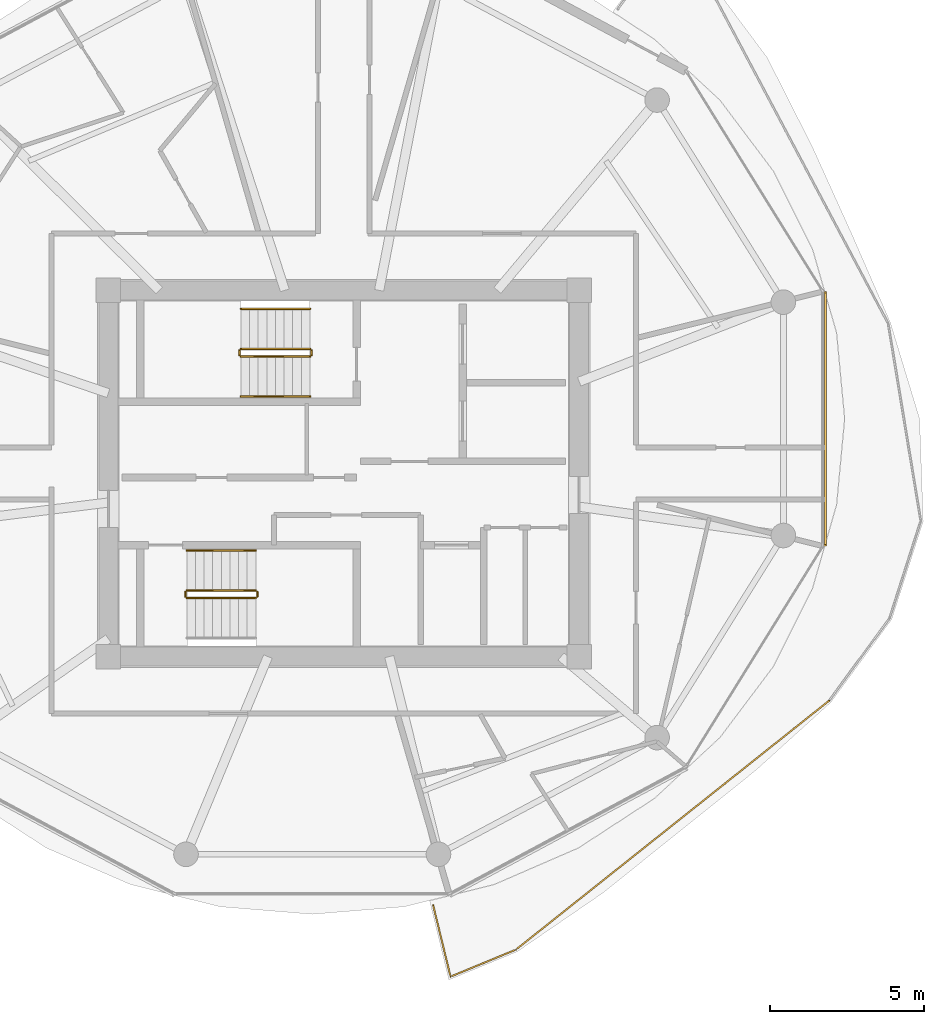
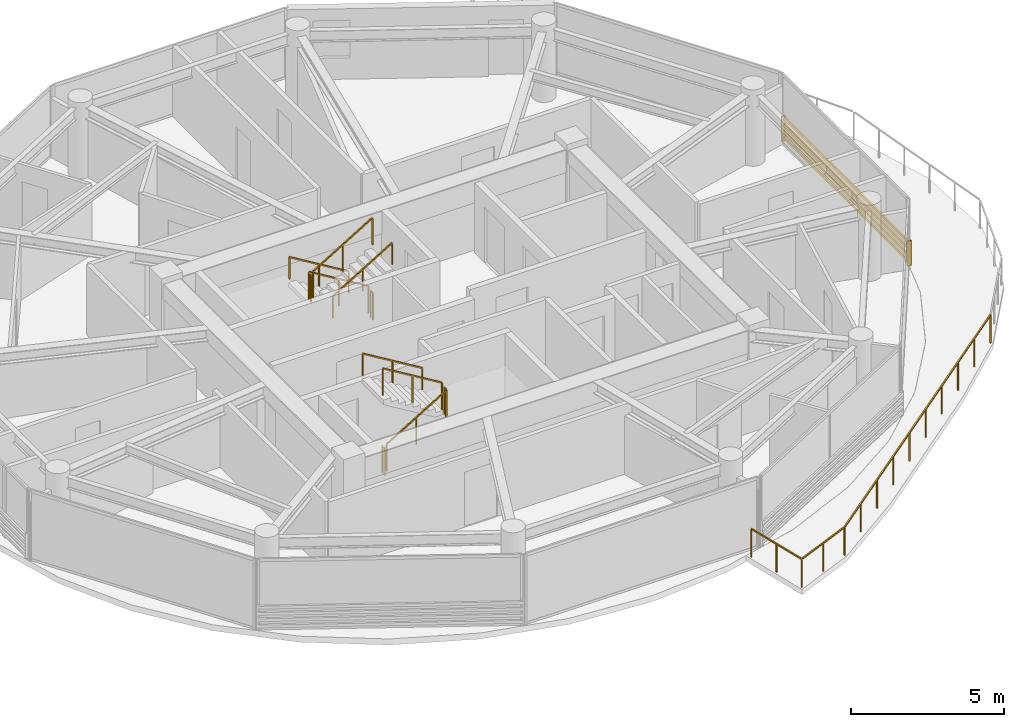
# One storey, part 22 of 23: 12 railings, 1 shading device.
"""IFC4 building model written with IfcOpenShell, lengths in metres."""

import ifcopenshell
import ifcopenshell.guid

model = None  # the IFC model being written
_history = None  # IfcOwnerHistory: only IFC2X3 demands one
_inside = {}  # id of a spatial element -> (the spatial element, [elements in it])
_under = {}  # id of a project, library or spatial element -> (it, [spatial elements below it])
_declared = {}  # id of a project -> (the project, [libraries it declares])
_typed = {}  # id of a type object -> (the type object, [elements of that type])
_made_of = {}  # id of a material, layer set ... -> (it, [elements and type objects made of it])


def new_model(schema):
    """Start an empty IFC model of exactly this schema.

    Asked for "IFC4X3", IfcOpenShell would pick the latest addendum, in which some entities
    have other attributes; the version numbers below select the first issue.
    IFC2X3 requires an IfcOwnerHistory on every rooted entity: one is made here for all.
    """
    global model, _history
    if schema == "IFC4X3":
        model = ifcopenshell.file(schema_version=(4, 3, 0, 0))
    else:
        model = ifcopenshell.file(schema=schema)
    _inside.clear()
    _under.clear()
    _declared.clear()
    _typed.clear()
    _made_of.clear()
    _history = None
    if model.schema == "IFC2X3":
        org = make("IfcOrganization", Name="unknown")
        user = make(
            "IfcPersonAndOrganization",
            ThePerson=make("IfcPerson", FamilyName="unknown"),
            TheOrganization=org,
        )
        app = make(
            "IfcApplication",
            ApplicationDeveloper=org,
            Version="unknown",
            ApplicationFullName="unknown",
            ApplicationIdentifier="unknown",
        )
        _history = make(
            "IfcOwnerHistory",
            OwningUser=user,
            OwningApplication=app,
            ChangeAction="ADDED",
            CreationDate=0,
        )
    return model


def make(cls, **values):
    """One entity of the class cls with the attributes given. An attribute that is None is left unset."""
    return model.create_entity(
        cls, **{name: value for name, value in values.items() if value is not None}
    )


def rooted(cls, **values):
    """An entity with a GlobalId (a new one), such as an element, a storey or a relation."""
    return make(cls, GlobalId=ifcopenshell.guid.new(), OwnerHistory=_history, **values)


def si_unit(unit_type, name, prefix=None):
    """IfcSIUnit, for example si_unit("LENGTHUNIT", "METRE", prefix="MILLI")."""
    return make("IfcSIUnit", UnitType=unit_type, Prefix=prefix, Name=name)


def assignment(units):
    """IfcUnitAssignment: the units of a project."""
    return None if units is None else make("IfcUnitAssignment", Units=units)


def point(xyz):
    """IfcCartesianPoint."""
    return None if xyz is None else make("IfcCartesianPoint", Coordinates=xyz)


def direction(xyz):
    """IfcDirection."""
    return None if xyz is None else make("IfcDirection", DirectionRatios=xyz)


def frame(location, z_axis=None, x_axis=None):
    """IfcAxis2Placement3D, a coordinate frame: its origin and axes. An axis left out is left unset."""
    return make(
        "IfcAxis2Placement3D",
        Location=point(location),
        Axis=direction(z_axis),
        RefDirection=direction(x_axis),
    )


def frame_2d(location, x_axis=None):
    """IfcAxis2Placement2D, a coordinate frame in the plane: its origin and x axis."""
    return make(
        "IfcAxis2Placement2D", Location=point(location), RefDirection=direction(x_axis)
    )


def origin():
    """The frame at (0, 0, 0) with its axes left unset."""
    return frame((0.0, 0.0, 0.0))


def origin_2d():
    """The frame at (0, 0) in the plane with its x axis left unset."""
    return frame_2d((0.0, 0.0))


def place(relative_to, where):
    """IfcLocalPlacement: puts the frame where relative to a parent placement (None: the world)."""
    return make(
        "IfcLocalPlacement", PlacementRelTo=relative_to, RelativePlacement=where
    )


def context(
    kind, dimensions, precision=None, world=None, true_north=None, identifier=None
):
    """IfcGeometricRepresentationContext, for example the 3D "Model" context."""
    return make(
        "IfcGeometricRepresentationContext",
        ContextIdentifier=identifier,
        ContextType=kind,
        CoordinateSpaceDimension=dimensions,
        Precision=precision,
        WorldCoordinateSystem=world,
        TrueNorth=true_north,
    )


def subcontext(parent, identifier, kind, view, scale=None):
    """IfcGeometricRepresentationSubContext, for example "Body" below "Model"."""
    return make(
        "IfcGeometricRepresentationSubContext",
        ContextIdentifier=identifier,
        ContextType=kind,
        ParentContext=parent,
        TargetScale=scale,
        TargetView=view,
    )


def project(units=None, contexts=None):
    """IfcProject with its units and contexts."""
    return rooted(
        "IfcProject",
        Name="project",
        RepresentationContexts=contexts,
        UnitsInContext=assignment(units),
    )


def spatial(cls, under=None, at=None, **own):
    """A site, building, storey or space (cls), placed at a placement, below another one or the project."""
    s = rooted(cls, ObjectPlacement=at, **own)
    if under is not None:
        _under.setdefault(under.id(), (under, []))[1].append(s)
    return s


def profile(cls, at=None, kind="AREA", **sizes):
    """A parametric profile (cls). Its sizes go by their IFC names, for example OverallWidth=200.0."""
    return make(cls, ProfileType=kind, Position=at, **sizes)


def rectangle(**sizes):
    """IfcRectangleProfileDef."""
    return profile("IfcRectangleProfileDef", **sizes)


def extrude(swept, where, along, depth):
    """IfcExtrudedAreaSolid: the profile swept, set in the frame where, extruded along a direction by depth."""
    return make(
        "IfcExtrudedAreaSolid",
        SweptArea=swept,
        Position=where,
        ExtrudedDirection=direction(along),
        Depth=depth,
    )


def shape(context_of_items, identifier, shape_type, items):
    """IfcShapeRepresentation: the items that make up one representation, for example the "Body"."""
    return make(
        "IfcShapeRepresentation",
        ContextOfItems=context_of_items,
        RepresentationIdentifier=identifier,
        RepresentationType=shape_type,
        Items=items,
    )


def source(mapping_origin, context_of_items, identifier, shape_type, items):
    """IfcRepresentationMap: a shape defined once, which mapped items show again and again."""
    return make(
        "IfcRepresentationMap",
        MappingOrigin=mapping_origin,
        MappedRepresentation=shape(context_of_items, identifier, shape_type, items),
    )


def transform(
    local_origin,
    x_axis=None,
    y_axis=None,
    z_axis=None,
    scale=None,
    scale2=None,
    scale3=None,
    uniform=True,
):
    """IfcCartesianTransformationOperator3D, or its non-uniform kind. x_axis, y_axis, z_axis: its Axis1, 2, 3."""
    if uniform:
        return make(
            "IfcCartesianTransformationOperator3D",
            Axis1=direction(x_axis),
            Axis2=direction(y_axis),
            LocalOrigin=point(local_origin),
            Scale=scale,
            Axis3=direction(z_axis),
        )
    return make(
        "IfcCartesianTransformationOperator3DnonUniform",
        Axis1=direction(x_axis),
        Axis2=direction(y_axis),
        LocalOrigin=point(local_origin),
        Scale=scale,
        Axis3=direction(z_axis),
        Scale2=scale2,
        Scale3=scale3,
    )


def mapped(mapping_source, mapping_target):
    """IfcMappedItem: shows the shape of a source again, moved by a transform."""
    return make(
        "IfcMappedItem", MappingSource=mapping_source, MappingTarget=mapping_target
    )


def material(Name=None, Category=None):
    """IfcMaterial."""
    return make("IfcMaterial", Name=Name, Category=Category)


def made_of(thing, what):
    """Note that an element or type object is made of a material, layer set ...; save() writes the relation."""
    if what is not None:
        _made_of.setdefault(what.id(), (what, []))[1].append(thing)
    return thing


def type_object(cls, material=None, **own):
    """A type object (cls), such as IfcWallType, which elements share."""
    return made_of(rooted(cls, **own), material)


def type_shapes(of_type, sources):
    """Give a type object the sources (RepresentationMaps) that its elements show as mapped items."""
    of_type.RepresentationMaps = sources


def element(
    cls,
    number,
    at=None,
    inside=None,
    cuts=None,
    type_object=None,
    material=None,
    context=None,
    identifier="Body",
    shape_type=None,
    held_by="IfcProductDefinitionShape",
    body=None,
    shapes=None,
    **own,
):
    """One element of the class cls, such as IfcWall. Its Tag is "e" and its number.

    at: its placement. inside: the storey or other place that contains it. cuts: it is an
    opening in that element (IfcRelVoidsElement). A single representation is given by context,
    identifier, shape_type and body (its items); several are given by shapes. held_by: the class
    of the entity that holds the representations. save() writes the other relations.
    """
    e = rooted(cls, Tag="e%d" % number, ObjectPlacement=at, **own)
    if body is not None:
        shapes = [shape(context, identifier, shape_type, body)]
    if shapes is not None:
        e.Representation = make(held_by, Representations=shapes)
    if inside is not None:
        _inside.setdefault(inside.id(), (inside, []))[1].append(e)
    if cuts is not None:
        rooted(
            "IfcRelVoidsElement", RelatingBuildingElement=cuts, RelatedOpeningElement=e
        )
    if type_object is not None:
        _typed.setdefault(type_object.id(), (type_object, []))[1].append(e)
    return made_of(e, material)


def aggregate(whole, parts):
    """IfcRelAggregates: a whole, such as a stair, and the parts it consists of."""
    return rooted("IfcRelAggregates", RelatingObject=whole, RelatedObjects=parts)


def save(model, path):
    """Write the relations noted so far, then the file.

    IfcRelAggregates (storeys below a building ...), IfcRelContainedInSpatialStructure (elements
    in a storey), IfcRelDefinesByType, IfcRelAssociatesMaterial and IfcRelDeclares: one each for
    every whole, place, type object, material and project.
    """
    for whole, parts in _under.values():
        aggregate(whole, parts)
    for where, things in _inside.values():
        rooted(
            "IfcRelContainedInSpatialStructure",
            RelatedElements=things,
            RelatingStructure=where,
        )
    for kind, things in _typed.values():
        rooted("IfcRelDefinesByType", RelatedObjects=things, RelatingType=kind)
    for what, things in _made_of.values():
        rooted("IfcRelAssociatesMaterial", RelatedObjects=things, RelatingMaterial=what)
    for by, libraries in _declared.values():
        rooted("IfcRelDeclares", RelatingContext=by, RelatedDefinitions=libraries)
    model.write(path)


model = new_model("IFC4")

# Units and contexts
model_context = context("Model", 3, precision=1e-05, world=origin(), true_north=direction((0.0, 1.0)))
body_context = subcontext(model_context, "Body", "Model", "MODEL_VIEW")
ifc_project = project(units=[si_unit("LENGTHUNIT", "METRE"), si_unit("AREAUNIT", "SQUARE_METRE"), si_unit("VOLUMEUNIT", "CUBIC_METRE"), si_unit("PLANEANGLEUNIT", "RADIAN"), si_unit("MASSUNIT", "GRAM", prefix="KILO")], contexts=[model_context])

# Site, building, storey
site_placement = place(None, origin())
site = spatial("IfcSite", under=ifc_project, at=site_placement, CompositionType="ELEMENT")
building_placement = place(site_placement, origin())
building = spatial("IfcBuilding", under=site, at=building_placement, Name="Norrkilde Senior Care Towers", CompositionType="ELEMENT")
storey_placement = place(building_placement, frame((0.0, 0.0, 164.800048828125)))
storey = spatial("IfcBuildingStorey", under=building, at=storey_placement, Name="L51", CompositionType="ELEMENT", Elevation=164.800048828125)

# Railings
ifc_material_1 = material(Name="Anodised Aluminium", Category="aluminium")
railing_type_1 = type_object("IfcRailingType", Name="Balcony Swirl Ribbon Guardrail 1150", PredefinedType="GUARDRAIL", material=ifc_material_1)
railing_1_placement = place(storey_placement, frame((43.77197265625, -7.3837890625, 0.0)))
element("IfcRailing", 1, at=railing_1_placement, inside=storey, type_object=railing_type_1, Name="L51 Perimeter Safety Guard 01", PredefinedType="GUARDRAIL", context=body_context, shape_type="SweptSolid", body=[
    extrude(rectangle(XDim=0.048095703125, YDim=0.048095703125, at=origin_2d()), frame((0.0, 0.0, 1.1259765625), z_axis=(-0.782810822811, -0.622259765444, 0.0), x_axis=(0.622259765444, -0.782810822811, 0.0)), (0.0, 0.0, 1.0), 12.958984375),
    extrude(rectangle(XDim=0.048095703125, YDim=0.048095703125, at=origin_2d()), frame((-10.21435546875, -8.10498046875, 1.1259765625), z_axis=(-0.924290734067, -0.381689191514, 0.0), x_axis=(0.381689191514, -0.924290734067, 0.0)), (0.0, 0.0, 1.0), 2.21826171875),
    extrude(rectangle(XDim=0.048095703125, YDim=0.048095703125, at=origin_2d()), frame((-12.312255859375, -8.927490234375, 1.1259765625), z_axis=(-0.236555395076, 0.971618003672, 0.0), x_axis=(-0.971618003672, -0.236555395076, 0.0)), (0.0, 0.0, 1.0), 2.34326171875),
    extrude(rectangle(XDim=0.0419921875, YDim=0.0419921875, at=origin_2d()), origin(), (0.0, 0.0, 1.0), 1.099853515625),
    extrude(rectangle(XDim=0.0419921875, YDim=0.0419921875, at=origin_2d()), frame((-1.130615234375, -0.89892578125, 0.0)), (0.0, 0.0, 1.0), 1.099853515625),
    extrude(rectangle(XDim=0.0419921875, YDim=0.0419921875, at=origin_2d()), frame((-2.261474609375, -1.797607421875, 0.0)), (0.0, 0.0, 1.0), 1.099853515625),
    extrude(rectangle(XDim=0.0419921875, YDim=0.0419921875, at=origin_2d()), frame((-3.39208984375, -2.696533203125, 0.0)), (0.0, 0.0, 1.0), 1.099853515625),
    extrude(rectangle(XDim=0.0419921875, YDim=0.0419921875, at=origin_2d()), frame((-4.52294921875, -3.59521484375, 0.0)), (0.0, 0.0, 1.0), 1.099853515625),
    extrude(rectangle(XDim=0.0419921875, YDim=0.0419921875, at=origin_2d()), frame((-5.653564453125, -4.494140625, 0.0)), (0.0, 0.0, 1.0), 1.099853515625),
    extrude(rectangle(XDim=0.0419921875, YDim=0.0419921875, at=origin_2d()), frame((-6.784423828125, -5.392822265625, 0.0)), (0.0, 0.0, 1.0), 1.099853515625),
    extrude(rectangle(XDim=0.0419921875, YDim=0.0419921875, at=origin_2d()), frame((-7.9150390625, -6.291748046875, 0.0)), (0.0, 0.0, 1.0), 1.099853515625),
    extrude(rectangle(XDim=0.0419921875, YDim=0.0419921875, at=origin_2d()), frame((-9.0458984375, -7.1904296875, 0.0)), (0.0, 0.0, 1.0), 1.099853515625),
    extrude(rectangle(XDim=0.0419921875, YDim=0.0419921875, at=origin_2d()), frame((-10.176513671875, -8.08935546875, 0.0)), (0.0, 0.0, 1.0), 1.099853515625),
    extrude(rectangle(XDim=0.0419921875, YDim=0.0419921875, at=origin_2d()), frame((-11.239501953125, -8.5283203125, 0.0)), (0.0, 0.0, 1.0), 1.099853515625),
    extrude(rectangle(XDim=0.0419921875, YDim=0.0419921875, at=origin_2d()), frame((-12.302490234375, -8.96728515625, 0.0)), (0.0, 0.0, 1.0), 1.099853515625),
    extrude(rectangle(XDim=0.0419921875, YDim=0.0419921875, at=origin_2d()), frame((-12.58447265625, -7.80908203125, 0.0)), (0.0, 0.0, 1.0), 1.099853515625),
    extrude(rectangle(XDim=0.0419921875, YDim=0.0419921875, at=origin_2d()), frame((-12.866455078125, -6.65087890625, 0.0)), (0.0, 0.0, 1.0), 1.099853515625),
])
ifc_material_2 = material(Name="Stainless Steel", Category="steel")
railing_type_2 = type_object("IfcRailingType", Name="Stair and Terrace Guardrail 1100", PredefinedType="GUARDRAIL", material=ifc_material_2)
railing_2_placement = place(storey_placement, frame((26.89990234375, 4.050048828125, 0.16943359375)))
element("IfcRailing", 2, at=railing_2_placement, inside=storey, type_object=railing_type_2, Name="L51 ST-E1 stair guard 1", PredefinedType="GUARDRAIL", context=body_context, shape_type="SweptSolid", body=[
    extrude(rectangle(XDim=0.048095703125, YDim=0.048095703125, at=origin_2d()), frame((0.0, 0.0, 1.076171875), z_axis=(-0.855553338991, 0.0, 0.51771467445), x_axis=(0.0, -1.0, 0.0)), (0.0, 0.0, 1.0), 2.6181640625),
    extrude(rectangle(XDim=0.0419921875, YDim=0.0419921875, at=origin_2d()), origin(), (0.0, 0.0, 1.0), 1.050048828125),
    extrude(rectangle(XDim=0.0419921875, YDim=0.0419921875, at=origin_2d()), frame((-1.1201171875, 0.0, 0.677734375)), (0.0, 0.0, 1.0), 1.050048828125),
    extrude(rectangle(XDim=0.0419921875, YDim=0.0419921875, at=origin_2d()), frame((-2.239990234375, 0.0, 1.35546875)), (0.0, 0.0, 1.0), 1.050048828125),
])
railing_3_placement = place(storey_placement, frame((24.610107421875, 4.0, 1.52490234375)))
element("IfcRailing", 3, at=railing_3_placement, inside=storey, type_object=railing_type_2, Name="L51 ST-E1 stair guard 2", PredefinedType="GUARDRAIL", context=body_context, shape_type="SweptSolid", body=[
    extrude(rectangle(XDim=0.048095703125, YDim=0.048095703125, at=origin_2d()), frame((0.0, 0.0, 1.076171875), z_axis=(0.0, -1.0, 0.0), x_axis=(1.0, 0.0, 0.0)), (0.0, 0.0, 1.0), 0.14990234375),
    extrude(rectangle(XDim=0.0419921875, YDim=0.0419921875, at=origin_2d()), origin(), (0.0, 0.0, 1.0), 1.050048828125),
    extrude(rectangle(XDim=0.0419921875, YDim=0.0419921875, at=origin_2d()), frame((0.0, -0.14990234375, 0.0)), (0.0, 0.0, 1.0), 1.050048828125),
])
railing_4_placement = place(storey_placement, frame((24.659912109375, 3.800048828125, 1.6943359375)))
element("IfcRailing", 4, at=railing_4_placement, inside=storey, type_object=railing_type_2, Name="L51 ST-E1 stair guard 3", PredefinedType="GUARDRAIL", context=body_context, shape_type="SweptSolid", body=[
    extrude(rectangle(XDim=0.048095703125, YDim=0.048095703125, at=origin_2d()), frame((0.0, 0.0, 1.076171875), z_axis=(0.855512035549, 0.0, 0.517782924622), x_axis=(0.0, 1.0, 0.0)), (0.0, 0.0, 1.0), 2.618408203125),
    extrude(rectangle(XDim=0.0419921875, YDim=0.0419921875, at=origin_2d()), origin(), (0.0, 0.0, 1.0), 1.050048828125),
    extrude(rectangle(XDim=0.0419921875, YDim=0.0419921875, at=origin_2d()), frame((1.1201171875, 0.0, 0.677734375)), (0.0, 0.0, 1.0), 1.050048828125),
    extrude(rectangle(XDim=0.0419921875, YDim=0.0419921875, at=origin_2d()), frame((2.239990234375, 0.0, 1.355712890625)), (0.0, 0.0, 1.0), 1.050048828125),
])
railing_5_placement = place(storey_placement, frame((26.949951171875, 4.0, 0.0)))
element("IfcRailing", 5, at=railing_5_placement, inside=storey, type_object=railing_type_2, Name="L51 ST-E1 stair guard 4", PredefinedType="GUARDRAIL", context=body_context, shape_type="SweptSolid", body=[
    extrude(rectangle(XDim=0.048095703125, YDim=0.048095703125, at=origin_2d()), frame((0.0, 0.0, 1.076171875), z_axis=(0.0, -1.0, 0.0), x_axis=(1.0, 0.0, 0.0)), (0.0, 0.0, 1.0), 0.14990234375),
    extrude(rectangle(XDim=0.0419921875, YDim=0.0419921875, at=origin_2d()), origin(), (0.0, 0.0, 1.0), 1.050048828125),
    extrude(rectangle(XDim=0.0419921875, YDim=0.0419921875, at=origin_2d()), frame((0.0, -0.14990234375, 0.0)), (0.0, 0.0, 1.0), 1.050048828125),
])
railing_6_placement = place(storey_placement, frame((22.89990234375, -4.050048828125, 0.16943359375)))
element("IfcRailing", 6, at=railing_6_placement, inside=storey, type_object=railing_type_2, Name="L51 ST-E2 stair guard 1", PredefinedType="GUARDRAIL", context=body_context, shape_type="SweptSolid", body=[
    extrude(rectangle(XDim=0.048095703125, YDim=0.048095703125, at=origin_2d()), frame((0.0, 0.0, 1.076171875), z_axis=(0.855553338991, 0.0, 0.51771467445), x_axis=(0.0, 1.0, 0.0)), (0.0, 0.0, 1.0), 2.6181640625),
    extrude(rectangle(XDim=0.0419921875, YDim=0.0419921875, at=origin_2d()), origin(), (0.0, 0.0, 1.0), 1.050048828125),
    extrude(rectangle(XDim=0.0419921875, YDim=0.0419921875, at=origin_2d()), frame((1.1201171875, 0.0, 0.677734375)), (0.0, 0.0, 1.0), 1.050048828125),
    extrude(rectangle(XDim=0.0419921875, YDim=0.0419921875, at=origin_2d()), frame((2.239990234375, 0.0, 1.35546875)), (0.0, 0.0, 1.0), 1.050048828125),
])
railing_7_placement = place(storey_placement, frame((25.18994140625, -4.0, 1.52490234375)))
element("IfcRailing", 7, at=railing_7_placement, inside=storey, type_object=railing_type_2, Name="L51 ST-E2 stair guard 2", PredefinedType="GUARDRAIL", context=body_context, shape_type="SweptSolid", body=[
    extrude(rectangle(XDim=0.048095703125, YDim=0.048095703125, at=origin_2d()), frame((0.0, 0.0, 1.076171875), z_axis=(0.0, 1.0, 0.0), x_axis=(-1.0, 0.0, 0.0)), (0.0, 0.0, 1.0), 0.14990234375),
    extrude(rectangle(XDim=0.0419921875, YDim=0.0419921875, at=origin_2d()), origin(), (0.0, 0.0, 1.0), 1.050048828125),
    extrude(rectangle(XDim=0.0419921875, YDim=0.0419921875, at=origin_2d()), frame((0.0, 0.14990234375, 0.0)), (0.0, 0.0, 1.0), 1.050048828125),
])
railing_8_placement = place(storey_placement, frame((25.139892578125, -3.800048828125, 1.6943359375)))
element("IfcRailing", 8, at=railing_8_placement, inside=storey, type_object=railing_type_2, Name="L51 ST-E2 stair guard 3", PredefinedType="GUARDRAIL", context=body_context, shape_type="SweptSolid", body=[
    extrude(rectangle(XDim=0.048095703125, YDim=0.048095703125, at=origin_2d()), frame((0.0, 0.0, 1.076171875), z_axis=(-0.855512035549, 0.0, 0.517782924622), x_axis=(0.0, -1.0, 0.0)), (0.0, 0.0, 1.0), 2.618408203125),
    extrude(rectangle(XDim=0.0419921875, YDim=0.0419921875, at=origin_2d()), origin(), (0.0, 0.0, 1.0), 1.050048828125),
    extrude(rectangle(XDim=0.0419921875, YDim=0.0419921875, at=origin_2d()), frame((-1.1201171875, 0.0, 0.677734375)), (0.0, 0.0, 1.0), 1.050048828125),
    extrude(rectangle(XDim=0.0419921875, YDim=0.0419921875, at=origin_2d()), frame((-2.239990234375, 0.0, 1.355712890625)), (0.0, 0.0, 1.0), 1.050048828125),
])
railing_9_placement = place(storey_placement, frame((22.85009765625, -4.0, 0.0)))
element("IfcRailing", 9, at=railing_9_placement, inside=storey, type_object=railing_type_2, Name="L51 ST-E2 stair guard 4", PredefinedType="GUARDRAIL", context=body_context, shape_type="SweptSolid", body=[
    extrude(rectangle(XDim=0.048095703125, YDim=0.048095703125, at=origin_2d()), frame((0.0, 0.0, 1.076171875), z_axis=(0.0, 1.0, 0.0), x_axis=(-1.0, 0.0, 0.0)), (0.0, 0.0, 1.0), 0.14990234375),
    extrude(rectangle(XDim=0.0419921875, YDim=0.0419921875, at=origin_2d()), origin(), (0.0, 0.0, 1.0), 1.050048828125),
    extrude(rectangle(XDim=0.0419921875, YDim=0.0419921875, at=origin_2d()), frame((0.0, 0.14990234375, 0.0)), (0.0, 0.0, 1.0), 1.050048828125),
])
ifc_material_3 = material(Name="Nordic Ash Timber", Category="wood")
railing_type_3 = type_object("IfcRailingType", Name="Wall and Stair Handrail 900", PredefinedType="HANDRAIL", material=ifc_material_3)
railing_10_placement = place(storey_placement, frame((26.89990234375, 5.35009765625, 0.16943359375)))
element("IfcRailing", 10, at=railing_10_placement, inside=storey, type_object=railing_type_3, Name="L51 ST-E1 stair handrail 1", PredefinedType="HANDRAIL", context=body_context, shape_type="SweptSolid", body=[
    extrude(rectangle(XDim=0.048095703125, YDim=0.048095703125, at=origin_2d()), frame((0.0, 0.0, 0.8759765625), z_axis=(-0.855553338991, 0.0, 0.51771467445), x_axis=(0.0, -1.0, 0.0)), (0.0, 0.0, 1.0), 2.6181640625),
    extrude(rectangle(XDim=0.0419921875, YDim=0.0419921875, at=origin_2d()), origin(), (0.0, 0.0, 1.0), 0.849853515625),
    extrude(rectangle(XDim=0.0419921875, YDim=0.0419921875, at=origin_2d()), frame((-1.1201171875, 0.0, 0.677734375)), (0.0, 0.0, 1.0), 0.849853515625),
    extrude(rectangle(XDim=0.0419921875, YDim=0.0419921875, at=origin_2d()), frame((-2.239990234375, 0.0, 1.35546875)), (0.0, 0.0, 1.0), 0.849853515625),
])
railing_11_placement = place(storey_placement, frame((24.659912109375, 2.5, 1.6943359375)))
element("IfcRailing", 11, at=railing_11_placement, inside=storey, type_object=railing_type_3, Name="L51 ST-E1 stair handrail 2", PredefinedType="HANDRAIL", context=body_context, shape_type="SweptSolid", body=[
    extrude(rectangle(XDim=0.048095703125, YDim=0.048095703125, at=origin_2d()), frame((0.0, 0.0, 0.8759765625), z_axis=(0.855512035549, 0.0, 0.517782924622), x_axis=(0.0, 1.0, 0.0)), (0.0, 0.0, 1.0), 2.618408203125),
    extrude(rectangle(XDim=0.0419921875, YDim=0.0419921875, at=origin_2d()), origin(), (0.0, 0.0, 1.0), 0.849853515625),
    extrude(rectangle(XDim=0.0419921875, YDim=0.0419921875, at=origin_2d()), frame((1.1201171875, 0.0, 0.677734375)), (0.0, 0.0, 1.0), 0.849853515625),
    extrude(rectangle(XDim=0.0419921875, YDim=0.0419921875, at=origin_2d()), frame((2.239990234375, 0.0, 1.355712890625)), (0.0, 0.0, 1.0), 0.849853515625),
])
railing_12_placement = place(storey_placement, frame((25.139892578125, -2.5, 1.6943359375)))
element("IfcRailing", 12, at=railing_12_placement, inside=storey, type_object=railing_type_3, Name="L51 ST-E2 stair handrail 2", PredefinedType="HANDRAIL", context=body_context, shape_type="SweptSolid", body=[
    extrude(rectangle(XDim=0.048095703125, YDim=0.048095703125, at=origin_2d()), frame((0.0, 0.0, 0.8759765625), z_axis=(-0.855512035549, 0.0, 0.517782924622), x_axis=(0.0, -1.0, 0.0)), (0.0, 0.0, 1.0), 2.618408203125),
    extrude(rectangle(XDim=0.0419921875, YDim=0.0419921875, at=origin_2d()), origin(), (0.0, 0.0, 1.0), 0.849853515625),
    extrude(rectangle(XDim=0.0419921875, YDim=0.0419921875, at=origin_2d()), frame((-1.1201171875, 0.0, 0.677734375)), (0.0, 0.0, 1.0), 0.849853515625),
    extrude(rectangle(XDim=0.0419921875, YDim=0.0419921875, at=origin_2d()), frame((-2.239990234375, 0.0, 1.355712890625)), (0.0, 0.0, 1.0), 0.849853515625),
])

# Shading device
ifc_material_4 = material(Name="Architectural Terracotta", Category="masonry")
shading_device_type = type_object("IfcShadingDeviceType", Name="Horizontal Terracotta Baguette Rack", PredefinedType="USERDEFINED", material=ifc_material_4)
shared_shape = source(origin(), body_context, "Body", "SweptSolid", [
    extrude(rectangle(XDim=0.070068359375, YDim=0.110107421875, at=origin_2d()), frame((0.0, 0.090087890625, 0.125), z_axis=(1.0, 0.0, 0.0), x_axis=(0.0, 1.0, 0.0)), (0.0, 0.0, 1.0), 8.27197265625),
    extrude(rectangle(XDim=0.070068359375, YDim=0.110107421875, at=origin_2d()), frame((0.0, 0.090087890625, 0.375), z_axis=(1.0, 0.0, 0.0), x_axis=(0.0, 1.0, 0.0)), (0.0, 0.0, 1.0), 8.27197265625),
    extrude(rectangle(XDim=0.070068359375, YDim=0.110107421875, at=origin_2d()), frame((0.0, 0.090087890625, 0.625), z_axis=(1.0, 0.0, 0.0), x_axis=(0.0, 1.0, 0.0)), (0.0, 0.0, 1.0), 8.27197265625),
    extrude(rectangle(XDim=0.070068359375, YDim=0.110107421875, at=origin_2d()), frame((0.0, 0.090087890625, 0.875), z_axis=(1.0, 0.0, 0.0), x_axis=(0.0, 1.0, 0.0)), (0.0, 0.0, 1.0), 8.27197265625),
    extrude(rectangle(XDim=0.050048828125, YDim=0.1552734375, at=origin_2d()), frame((0.02490234375, 0.047607421875, 0.0)), (0.0, 0.0, 1.0), 1.0),
    extrude(rectangle(XDim=0.050048828125, YDim=0.1552734375, at=origin_2d()), frame((8.2470703125, 0.047607421875, 0.0)), (0.0, 0.0, 1.0), 1.0),
])
type_shapes(shading_device_type, [shared_shape])
shading_device_placement = place(storey_placement, frame((43.569580078125, 5.911376953125, 0.079833984375), z_axis=(0.0, 0.0, 1.0), x_axis=(0.0, -1.0, 0.0)))
element("IfcShadingDevice", 13, at=shading_device_placement, inside=storey, type_object=shading_device_type, Name="L51 Drum E Terracotta Baguette Screen 11", ObjectType="BAGUETTE", PredefinedType="USERDEFINED", context=body_context, shape_type="MappedRepresentation", body=[
    mapped(shared_shape, transform((0.0, 0.0, 0.0), x_axis=(1.0, 0.0, 0.0), y_axis=(0.0, 1.0, 0.0), z_axis=(0.0, 0.0, 1.0), scale=1.0)),
])

save(model, "model.ifc")
